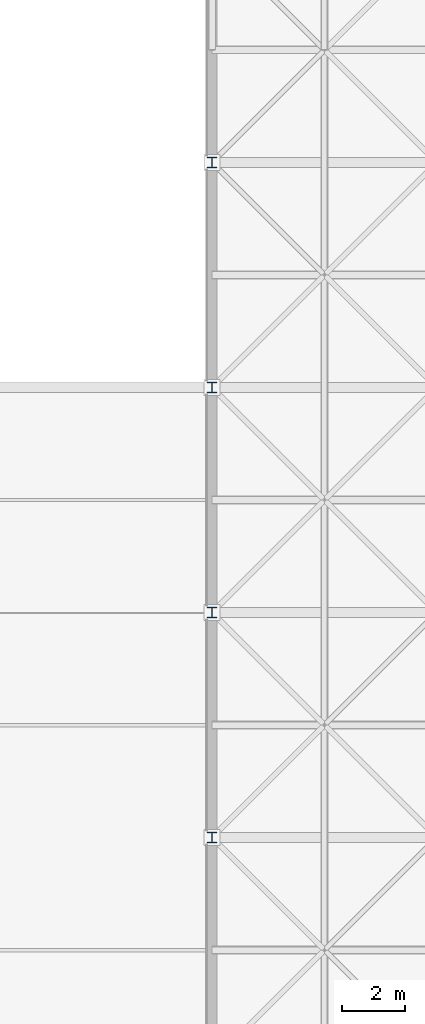
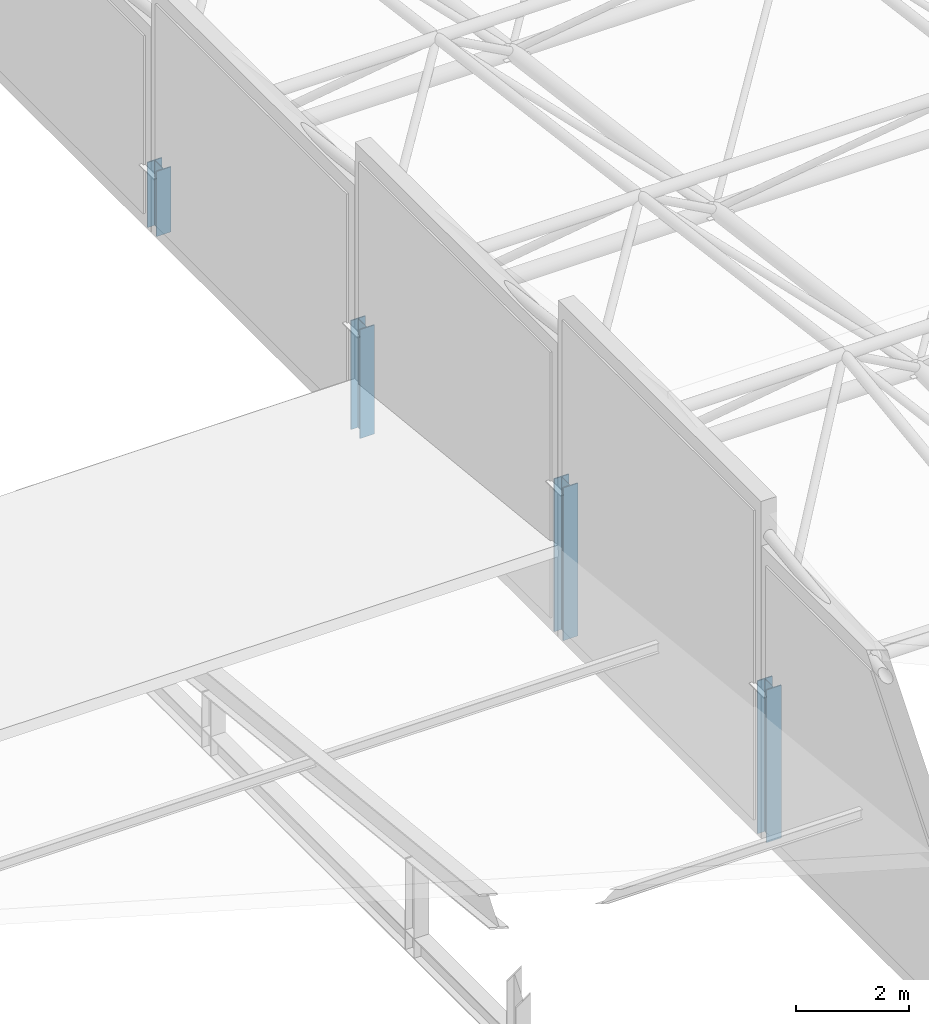
# One storey, part 5 of 103: 4 columns.
"""IFC4 building model written with IfcOpenShell, lengths in metres."""

from ifc_helpers import new_model, si_unit, direction, frame, origin, origin_2d, place, context, subcontext, project, spatial, i_section, extrude, material, material_profile, profile_set, type_object, element, save


model = new_model("IFC4")

# Units and contexts
model_context = context("Model", 3, precision=1e-05, world=origin(), true_north=direction((0.0, 1.0)))
body_context = subcontext(model_context, "Body", "Model", "MODEL_VIEW")
ifc_project = project(units=[si_unit("LENGTHUNIT", "METRE"), si_unit("AREAUNIT", "SQUARE_METRE"), si_unit("VOLUMEUNIT", "CUBIC_METRE"), si_unit("PLANEANGLEUNIT", "RADIAN"), si_unit("MASSUNIT", "GRAM", prefix="KILO")], contexts=[model_context])

# Site, building, storey
site_placement = place(None, origin())
site = spatial("IfcSite", under=ifc_project, at=site_placement, CompositionType="ELEMENT")
building_placement = place(site_placement, origin())
building = spatial("IfcBuilding", under=site, at=building_placement, Name="Thalmaran Polytechnic", CompositionType="ELEMENT")
storey_placement = place(building_placement, frame((0.0, 0.0, 14.39990234375)))
storey = spatial("IfcBuildingStorey", under=building, at=storey_placement, Name="L03", CompositionType="ELEMENT", Elevation=14.39990234375)

# Columns
ifc_material = material(Name="Steel S355", Category="steel")
ifc_material_profile = material_profile(ifc_material, i_section(OverallWidth=0.300048828125, OverallDepth=0.340087890625, WebThickness=0.011962890625, FlangeThickness=0.021484375, at=origin_2d()), Name="HEB 340")
ifc_profile_set = profile_set([ifc_material_profile], Name="Steel S355")
column_type = type_object("IfcColumnType", Name="COL-SC1", PredefinedType="COLUMN", material=ifc_profile_set)
for number, where, z_axis, x_axis, name in (
    (1, (108.0, 21.60009765625, 0.0), (0.0, 0.0, 1.0), (1.0, 0.0, 0.0), "Workshop Gable Steel Column (15,3)"),
    (2, (108.0, 28.800048828125, 0.0), (0.0, 0.0, 1.0), (1.0, 0.0, 0.0), "Workshop Gable Steel Column (15,4)"),
):
    element("IfcColumn", number, at=place(storey_placement, frame(where, z_axis=z_axis, x_axis=x_axis)), inside=storey, type_object=column_type, Name=name, PredefinedType="COLUMN", context=body_context, shape_type="SweptSolid", body=[
        extrude(i_section(OverallWidth=0.300048828125, OverallDepth=0.340087890625, WebThickness=0.011962890625, FlangeThickness=0.021484375, at=origin_2d()), origin(), (0.0, 0.0, 1.0), 3.3037109375),
    ])
column_1_placement = place(storey_placement, frame((108.0, 36.0, 0.0), z_axis=(0.0, 0.0, 1.0), x_axis=(1.0, 0.0, 0.0)))
element("IfcColumn", 3, at=column_1_placement, inside=storey, type_object=column_type, Name="Workshop Gable Steel Column (15,5)", PredefinedType="COLUMN", context=body_context, shape_type="SweptSolid", body=[
    extrude(i_section(OverallWidth=0.300048828125, OverallDepth=0.340087890625, WebThickness=0.011962890625, FlangeThickness=0.021484375, at=origin_2d()), origin(), (0.0, 0.0, 1.0), 2.35595703125),
])
column_2_placement = place(storey_placement, frame((108.0, 43.199951171875, 0.0), z_axis=(0.0, 0.0, 1.0), x_axis=(1.0, 0.0, 0.0)))
element("IfcColumn", 4, at=column_2_placement, inside=storey, type_object=column_type, Name="Workshop Gable Steel Column (15,6)", PredefinedType="COLUMN", context=body_context, shape_type="SweptSolid", body=[
    extrude(i_section(OverallWidth=0.300048828125, OverallDepth=0.340087890625, WebThickness=0.011962890625, FlangeThickness=0.021484375, at=origin_2d()), origin(), (0.0, 0.0, 1.0), 1.407958984375),
])

save(model, "model.ifc")
